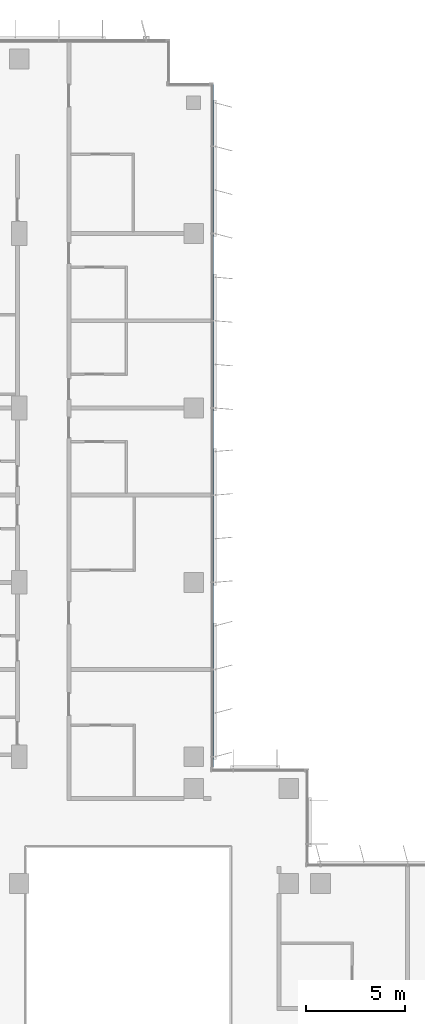
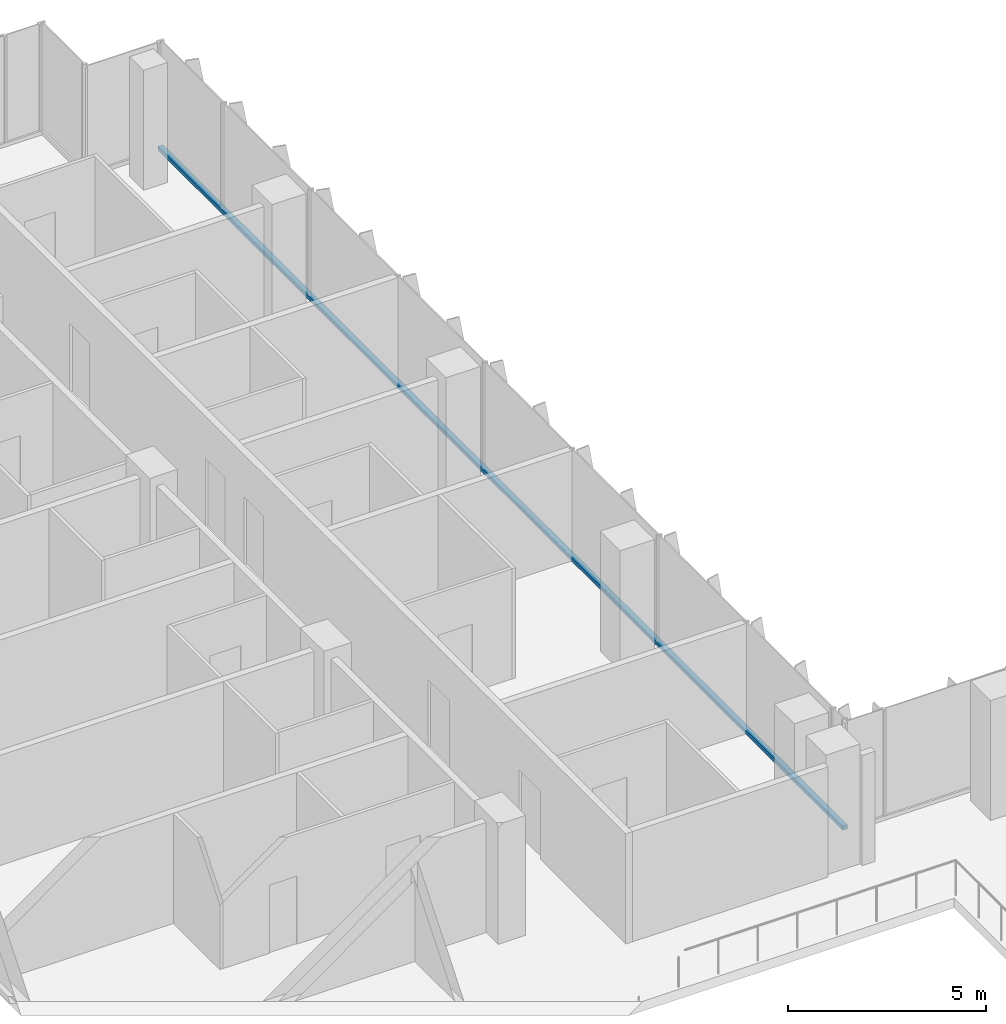
# One storey, part 6 of 21: 1 member, 1 element without a shape of its own.
"""IFC4 building model written with IfcOpenShell, lengths in metres."""

from ifc_helpers import new_model, si_unit, direction, frame, origin, origin_2d, place, context, subcontext, project, spatial, rectangle, extrude, material, material_profile, profile_set, type_object, element, aggregate, save


model = new_model("IFC4")

# Units and contexts
model_context = context("Model", 3, precision=1e-05, world=origin(), true_north=direction((0.0, 1.0)))
body_context = subcontext(model_context, "Body", "Model", "MODEL_VIEW")
ifc_project = project(units=[si_unit("LENGTHUNIT", "METRE"), si_unit("AREAUNIT", "SQUARE_METRE"), si_unit("VOLUMEUNIT", "CUBIC_METRE"), si_unit("PLANEANGLEUNIT", "RADIAN"), si_unit("MASSUNIT", "GRAM", prefix="KILO")], contexts=[model_context])

# Site, building, storey
site_placement = place(None, origin())
site = spatial("IfcSite", under=ifc_project, at=site_placement, CompositionType="ELEMENT")
building_placement = place(site_placement, origin())
building = spatial("IfcBuilding", under=site, at=building_placement, Name="Kemantara Hotel Tower", CompositionType="ELEMENT")
storey_placement = place(building_placement, frame((0.0, 0.0, 164.199951171875)))
storey = spatial("IfcBuildingStorey", under=building, at=storey_placement, Name="L40", CompositionType="ELEMENT", Elevation=164.199951171875)

# Curtain wall, member
ifc_material_1 = material(Name="Low-E tinted double insulated glass 36 mm", Category="glass")
curtain_wall_type = type_object("IfcCurtainWallType", Name="TOWER CURTAIN WALL, FRONT FACES", PredefinedType="USERDEFINED", material=ifc_material_1)
curtain_wall_placement = place(storey_placement, origin())
curtain_wall = element("IfcCurtainWall", 1, at=curtain_wall_placement, inside=storey, type_object=curtain_wall_type, Name="CW4 L40 T3-R17-1", ObjectType="TOWER CURTAIN WALL, FRONT FACES", PredefinedType="USERDEFINED")
ifc_material_2 = material(Name="Aluminium 6063-T6 bronze anodised", Category="aluminium")
ifc_material_profile = material_profile(ifc_material_2, rectangle(XDim=0.14990234375, YDim=0.1201171875, at=origin_2d()), Name="TOWER CURTAIN WALL, FRONT FACES TRANSOM")
ifc_profile_set = profile_set([ifc_material_profile], Name="Aluminium 6063-T6 bronze anodised")
member_type = type_object("IfcMemberType", Name="TOWER CURTAIN WALL, FRONT FACES TRANSOM", PredefinedType="USERDEFINED", material=ifc_profile_set)
member_placement = place(storey_placement, frame((21.925048828125, 26.800048828125, 0.06005859375), z_axis=(0.0, 1.0, 0.0), x_axis=(-1.0, 0.0, 0.0)))
member = element("IfcMember", 2, at=member_placement, type_object=member_type, Name="CW4 sill transom T3-R17-1", ObjectType="TRANSOM", PredefinedType="USERDEFINED", context=body_context, shape_type="SweptSolid", body=[
    extrude(rectangle(XDim=0.14990234375, YDim=0.1201171875, at=origin_2d()), origin(), (0.0, 0.0, 1.0), 34.599853515625),
])
aggregate(curtain_wall, [member])

save(model, "model.ifc")
